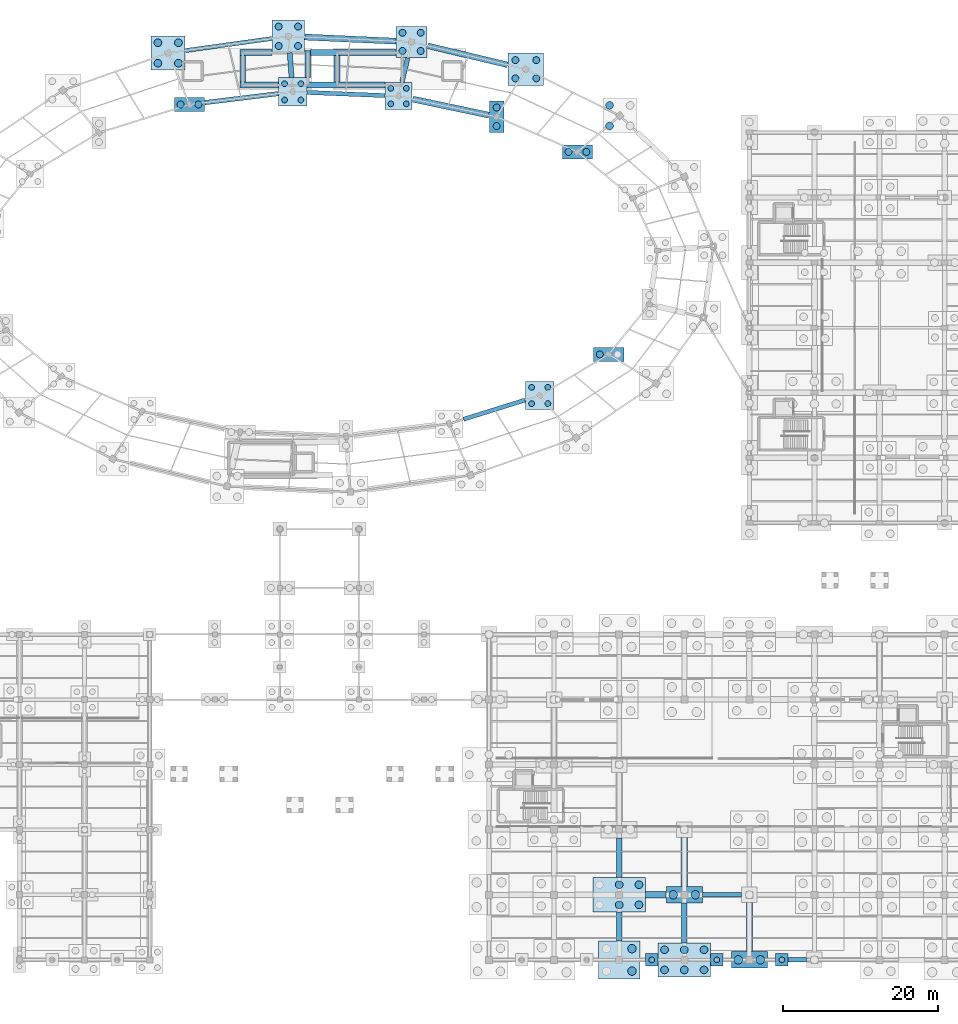
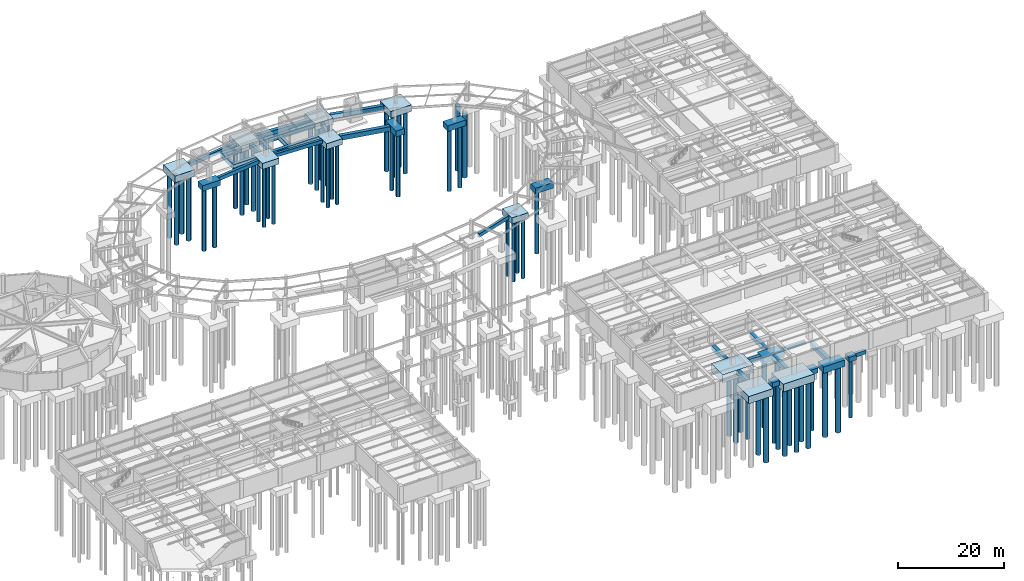
# One storey, part 6 of 38: 56 piles, 43 footings.
"""IFC4 building model written with IfcOpenShell, lengths in metres."""

from ifc_helpers import new_model, si_unit, direction, frame, origin, origin_2d, place, context, subcontext, project, spatial, polyline, rectangle, circle, outline, extrude, material, material_profile, profile_set, type_object, element, save


model = new_model("IFC4")

# Units and contexts
model_context = context("Model", 3, precision=1e-05, world=origin(), true_north=direction((0.0, 1.0)))
body_context = subcontext(model_context, "Body", "Model", "MODEL_VIEW")
ifc_project = project(units=[si_unit("LENGTHUNIT", "METRE"), si_unit("AREAUNIT", "SQUARE_METRE"), si_unit("VOLUMEUNIT", "CUBIC_METRE"), si_unit("PLANEANGLEUNIT", "RADIAN"), si_unit("MASSUNIT", "GRAM", prefix="KILO"), si_unit("THERMODYNAMICTEMPERATUREUNIT", "KELVIN"), si_unit("POWERUNIT", "WATT")], contexts=[model_context])

# Site, building, storey
site_placement = place(None, origin())
site = spatial("IfcSite", under=ifc_project, at=site_placement, CompositionType="ELEMENT")
building_placement = place(site_placement, origin())
building = spatial("IfcBuilding", under=site, at=building_placement, Name="Darbajah Civic Hall", CompositionType="ELEMENT")
storey_placement = place(building_placement, frame((0.0, 0.0, -4.199951171875)))
storey = spatial("IfcBuildingStorey", under=building, at=storey_placement, Name="B01", CompositionType="ELEMENT", Elevation=-4.199951171875)

# Piles
ifc_material = material(Name="Concrete C45/55", Category="concrete")
ifc_material_profile_1 = material_profile(ifc_material, circle(Radius=0.5, at=origin_2d()), Name="BORED PILE D1000")
ifc_profile_set_1 = profile_set([ifc_material_profile_1], Name="Concrete C45/55")
pile_type_1 = type_object("IfcPileType", Name="BORED PILE D1000", PredefinedType="BORED", material=ifc_profile_set_1)
for number, where, z_axis, x_axis, name in (
    (1, (126.5556640625, 107.6337890625, -1.449951171875), (0.0, 0.0, -1.0), (1.0, 0.0, 0.0), "B01 bored pile P-1000 V1O-02-1"),
    (2, (126.5556640625, 110.28369140625, -1.449951171875), (0.0, 0.0, -1.0), (1.0, 0.0, 0.0), "B01 bored pile P-1000 V1O-02-3"),
    (3, (68.258056640625, 115.7294921875, -1.449951171875), (0.0, 0.0, -1.0), (1.0, 0.0, 0.0), "B01 bored pile P-1000 V1O-06-1"),
    (4, (70.908203125, 115.7294921875, -1.449951171875), (0.0, 0.0, -1.0), (1.0, 0.0, 0.0), "B01 bored pile P-1000 V1O-06-2"),
    (5, (68.258056640625, 118.37939453125, -1.449951171875), (0.0, 0.0, -1.0), (1.0, 0.0, 0.0), "B01 bored pile P-1000 V1O-06-3"),
    (6, (70.908203125, 118.37939453125, -1.449951171875), (0.0, 0.0, -1.0), (1.0, 0.0, 0.0), "B01 bored pile P-1000 V1O-06-4"),
):
    element("IfcPile", number, at=place(storey_placement, frame(where, z_axis=z_axis, x_axis=x_axis)), inside=storey, type_object=pile_type_1, Name=name, PredefinedType="BORED", context=body_context, shape_type="SweptSolid", body=[
        extrude(circle(Radius=0.5, at=origin_2d()), origin(), (0.0, 0.0, 1.0), 15.0),
    ])
for number, where, z_axis, x_axis, name in (
    (7, (127.800048828125, 7.10009765625, -1.699951171875), (0.0, 0.0, -1.0), (1.0, 0.0, 0.0), "B01 bored pile P-1000 V3-02-01-2"),
    (8, (130.35009765625, 7.10009765625, -1.699951171875), (0.0, 0.0, -1.0), (1.0, 0.0, 0.0), "B01 bored pile P-1000 V3-02-01-3"),
    (9, (127.800048828125, 9.699951171875, -1.699951171875), (0.0, 0.0, -1.0), (1.0, 0.0, 0.0), "B01 bored pile P-1000 V3-02-01-5"),
    (10, (130.35009765625, 9.699951171875, -1.699951171875), (0.0, 0.0, -1.0), (1.0, 0.0, 0.0), "B01 bored pile P-1000 V3-02-01-6"),
    (11, (133.64990234375, -1.300048828125, -1.699951171875), (0.0, 0.0, -1.0), (1.0, 0.0, 0.0), "B01 bored pile P-1000 V3-03-00-1"),
    (12, (136.199951171875, -1.300048828125, -1.699951171875), (0.0, 0.0, -1.0), (1.0, 0.0, 0.0), "B01 bored pile P-1000 V3-03-00-2"),
    (13, (138.75, -1.300048828125, -1.699951171875), (0.0, 0.0, -1.0), (1.0, 0.0, 0.0), "B01 bored pile P-1000 V3-03-00-3"),
    (14, (133.64990234375, 1.300048828125, -1.699951171875), (0.0, 0.0, -1.0), (1.0, 0.0, 0.0), "B01 bored pile P-1000 V3-03-00-4"),
    (15, (136.199951171875, 1.300048828125, -1.699951171875), (0.0, 0.0, -1.0), (1.0, 0.0, 0.0), "B01 bored pile P-1000 V3-03-00-5"),
    (16, (138.75, 1.300048828125, -1.699951171875), (0.0, 0.0, -1.0), (1.0, 0.0, 0.0), "B01 bored pile P-1000 V3-03-00-6"),
):
    element("IfcPile", number, at=place(storey_placement, frame(where, z_axis=z_axis, x_axis=x_axis)), inside=storey, type_object=pile_type_1, Name=name, PredefinedType="BORED", context=body_context, shape_type="SweptSolid", body=[
        extrude(circle(Radius=0.5, at=origin_2d()), origin(), (0.0, 0.0, 1.0), 15.5),
    ])
ifc_material_profile_2 = material_profile(ifc_material, circle(Radius=0.550048828125, at=origin_2d()), Name="BORED PILE D1100")
ifc_profile_set_2 = profile_set([ifc_material_profile_2], Name="Concrete C45/55")
pile_type_2 = type_object("IfcPileType", Name="BORED PILE D1100", PredefinedType="BORED", material=ifc_profile_set_2)
for number, where, z_axis, x_axis, name in (
    (17, (129.449951171875, -1.449951171875, -1.60009765625), (0.0, 0.0, -1.0), (1.0, 0.0, 0.0), "B01 bored pile P-1100 V3-02-00-2"),
    (18, (129.449951171875, 1.449951171875, -1.60009765625), (0.0, 0.0, -1.0), (1.0, 0.0, 0.0), "B01 bored pile P-1100 V3-02-00-4"),
    (19, (134.77490234375, 8.39990234375, -1.400146484375), (0.0, 0.0, -1.0), (1.0, 0.0, 0.0), "B01 bored pile P-1100 V3-03-01-1"),
    (20, (137.625, 8.39990234375, -1.400146484375), (0.0, 0.0, -1.0), (1.0, 0.0, 0.0), "B01 bored pile P-1100 V3-03-01-2"),
    (21, (143.175048828125, 0.0, -1.400146484375), (0.0, 0.0, -1.0), (1.0, 0.0, 0.0), "B01 bored pile P-1100 V3-04-00-1"),
    (22, (146.02490234375, 0.0, -1.400146484375), (0.0, 0.0, -1.0), (1.0, 0.0, 0.0), "B01 bored pile P-1100 V3-04-00-2"),
):
    element("IfcPile", number, at=place(storey_placement, frame(where, z_axis=z_axis, x_axis=x_axis)), inside=storey, type_object=pile_type_2, Name=name, PredefinedType="BORED", context=body_context, shape_type="SweptSolid", body=[
        extrude(circle(Radius=0.550048828125, at=origin_2d()), origin(), (0.0, 0.0, 1.0), 15.5),
    ])
ifc_material_profile_3 = material_profile(ifc_material, circle(Radius=0.375, at=origin_2d()), Name="BORED PILE D750")
ifc_profile_set_3 = profile_set([ifc_material_profile_3], Name="Concrete C45/55")
pile_type_3 = type_object("IfcPileType", Name="BORED PILE D750", PredefinedType="BORED", material=ifc_profile_set_3)
for number, where, z_axis, x_axis, name in (
    (23, (98.324951171875, 110.48388671875, -1.25), (0.0, 0.0, -1.0), (1.0, 0.0, 0.0), "B01 bored pile P-750 V1I-04-1"),
    (24, (100.324951171875, 110.48388671875, -1.25), (0.0, 0.0, -1.0), (1.0, 0.0, 0.0), "B01 bored pile P-750 V1I-04-2"),
    (25, (98.324951171875, 112.48388671875, -1.25), (0.0, 0.0, -1.0), (1.0, 0.0, 0.0), "B01 bored pile P-750 V1I-04-3"),
    (26, (100.324951171875, 112.48388671875, -1.25), (0.0, 0.0, -1.0), (1.0, 0.0, 0.0), "B01 bored pile P-750 V1I-04-4"),
    (27, (84.613525390625, 110.981201171875, -1.300048828125), (0.0, 0.0, -1.0), (1.0, 0.0, 0.0), "B01 bored pile P-750 V1I-05-1"),
    (28, (86.71337890625, 110.981201171875, -1.300048828125), (0.0, 0.0, -1.0), (1.0, 0.0, 0.0), "B01 bored pile P-750 V1I-05-2"),
    (29, (84.613525390625, 113.081298828125, -1.300048828125), (0.0, 0.0, -1.0), (1.0, 0.0, 0.0), "B01 bored pile P-750 V1I-05-3"),
    (30, (86.71337890625, 113.081298828125, -1.300048828125), (0.0, 0.0, -1.0), (1.0, 0.0, 0.0), "B01 bored pile P-750 V1I-05-4"),
    (31, (116.495849609375, 71.79296875, -1.300048828125), (0.0, 0.0, -1.0), (1.0, 0.0, 0.0), "B01 bored pile P-750 V1I-17-1"),
    (32, (118.595703125, 71.79296875, -1.300048828125), (0.0, 0.0, -1.0), (1.0, 0.0, 0.0), "B01 bored pile P-750 V1I-17-2"),
    (33, (116.495849609375, 73.892822265625, -1.300048828125), (0.0, 0.0, -1.0), (1.0, 0.0, 0.0), "B01 bored pile P-750 V1I-17-3"),
    (34, (118.595703125, 73.892822265625, -1.300048828125), (0.0, 0.0, -1.0), (1.0, 0.0, 0.0), "B01 bored pile P-750 V1I-17-4"),
):
    element("IfcPile", number, at=place(storey_placement, frame(where, z_axis=z_axis, x_axis=x_axis)), inside=storey, type_object=pile_type_3, Name=name, PredefinedType="BORED", context=body_context, shape_type="SweptSolid", body=[
        extrude(circle(Radius=0.375, at=origin_2d()), origin(), (0.0, 0.0, 1.0), 14.0),
    ])
for number, where, z_axis, x_axis, name in (
    (35, (132.0, 0.0, -1.0), (0.0, 0.0, -1.0), (1.0, 0.0, 0.0), "B01 bored pile PIL-V3S-3"),
    (36, (140.39990234375, 0.0, -1.0), (0.0, 0.0, -1.0), (1.0, 0.0, 0.0), "B01 bored pile PIL-V3S-4"),
    (37, (148.800048828125, 0.0, -1.0), (0.0, 0.0, -1.0), (1.0, 0.0, 0.0), "B01 bored pile PIL-V3S-5"),
):
    element("IfcPile", number, at=place(storey_placement, frame(where, z_axis=z_axis, x_axis=x_axis)), inside=storey, type_object=pile_type_3, Name=name, PredefinedType="BORED", context=body_context, shape_type="SweptSolid", body=[
        extrude(circle(Radius=0.375, at=origin_2d()), origin(), (0.0, 0.0, 1.0), 13.5),
    ])
ifc_material_profile_4 = material_profile(ifc_material, circle(Radius=0.449951171875, at=origin_2d()), Name="BORED PILE D900")
ifc_profile_set_4 = profile_set([ifc_material_profile_4], Name="Concrete C45/55")
pile_type_4 = type_object("IfcPileType", Name="BORED PILE D900", PredefinedType="BORED", material=ifc_profile_set_4)
for number, where, z_axis, x_axis, name in (
    (38, (121.255859375, 104.28271484375, -1.199951171875), (0.0, 0.0, -1.0), (1.0, 0.0, 0.0), "B01 bored pile P-900 V1I-02-1"),
    (39, (123.555908203125, 104.28271484375, -1.199951171875), (0.0, 0.0, -1.0), (1.0, 0.0, 0.0), "B01 bored pile P-900 V1I-02-2"),
    (40, (114.3974609375, 113.77783203125, -1.420166015625), (0.0, 0.0, -1.0), (1.0, 0.0, 0.0), "B01 bored pile P-900 V1O-03-1"),
    (41, (117.097412109375, 113.77783203125, -1.420166015625), (0.0, 0.0, -1.0), (1.0, 0.0, 0.0), "B01 bored pile P-900 V1O-03-2"),
    (42, (114.3974609375, 116.1279296875, -1.420166015625), (0.0, 0.0, -1.0), (1.0, 0.0, 0.0), "B01 bored pile P-900 V1O-03-3"),
    (43, (117.097412109375, 116.1279296875, -1.420166015625), (0.0, 0.0, -1.0), (1.0, 0.0, 0.0), "B01 bored pile P-900 V1O-03-4"),
    (44, (111.9853515625, 107.614013671875, -1.25), (0.0, 0.0, -1.0), (1.0, 0.0, 0.0), "B01 bored pile P-900 V1I-03-1"),
    (45, (111.9853515625, 110.013916015625, -1.25), (0.0, 0.0, -1.0), (1.0, 0.0, 0.0), "B01 bored pile P-900 V1I-03-2"),
    (46, (99.830810546875, 117.309814453125, -1.35009765625), (0.0, 0.0, -1.0), (1.0, 0.0, 0.0), "B01 bored pile P-900 V1O-04-1"),
    (47, (102.1806640625, 117.309814453125, -1.35009765625), (0.0, 0.0, -1.0), (1.0, 0.0, 0.0), "B01 bored pile P-900 V1O-04-2"),
    (48, (99.830810546875, 119.659912109375, -1.35009765625), (0.0, 0.0, -1.0), (1.0, 0.0, 0.0), "B01 bored pile P-900 V1O-04-3"),
    (49, (102.1806640625, 119.659912109375, -1.35009765625), (0.0, 0.0, -1.0), (1.0, 0.0, 0.0), "B01 bored pile P-900 V1O-04-4"),
):
    element("IfcPile", number, at=place(storey_placement, frame(where, z_axis=z_axis, x_axis=x_axis)), inside=storey, type_object=pile_type_4, Name=name, PredefinedType="BORED", context=body_context, shape_type="SweptSolid", body=[
        extrude(circle(Radius=0.449951171875, at=origin_2d()), origin(), (0.0, 0.0, 1.0), 14.5),
    ])
for number, where, z_axis, x_axis, name in (
    (50, (83.8486328125, 117.958984375, -1.400146484375), (0.0, 0.0, -1.0), (1.0, 0.0, 0.0), "B01 bored pile P-900 V1O-05-1"),
    (51, (86.3486328125, 117.958984375, -1.400146484375), (0.0, 0.0, -1.0), (1.0, 0.0, 0.0), "B01 bored pile P-900 V1O-05-2"),
    (52, (83.8486328125, 120.458984375, -1.400146484375), (0.0, 0.0, -1.0), (1.0, 0.0, 0.0), "B01 bored pile P-900 V1O-05-3"),
    (53, (86.3486328125, 120.458984375, -1.400146484375), (0.0, 0.0, -1.0), (1.0, 0.0, 0.0), "B01 bored pile P-900 V1O-05-4"),
):
    element("IfcPile", number, at=place(storey_placement, frame(where, z_axis=z_axis, x_axis=x_axis)), inside=storey, type_object=pile_type_4, Name=name, PredefinedType="BORED", context=body_context, shape_type="SweptSolid", body=[
        extrude(circle(Radius=0.449951171875, at=origin_2d()), origin(), (0.0, 0.0, 1.0), 15.0),
    ])
for number, where, z_axis, x_axis, name in (
    (54, (71.1884765625, 110.402587890625, -1.199951171875), (0.0, 0.0, -1.0), (1.0, 0.0, 0.0), "B01 bored pile P-900 V1I-06-1"),
    (55, (73.488525390625, 110.402587890625, -1.199951171875), (0.0, 0.0, -1.0), (1.0, 0.0, 0.0), "B01 bored pile P-900 V1I-06-2"),
    (56, (125.295654296875, 78.148193359375, -1.199951171875), (0.0, 0.0, -1.0), (1.0, 0.0, 0.0), "B01 bored pile P-900 V1I-18-1"),
):
    element("IfcPile", number, at=place(storey_placement, frame(where, z_axis=z_axis, x_axis=x_axis)), inside=storey, type_object=pile_type_4, Name=name, PredefinedType="BORED", context=body_context, shape_type="SweptSolid", body=[
        extrude(circle(Radius=0.449951171875, at=origin_2d()), origin(), (0.0, 0.0, 1.0), 14.5),
    ])

# Footings
footing_type_1 = type_object("IfcFootingType", Name="Ground Strip Footing 550x800", PredefinedType="STRIP_FOOTING", material=ifc_material)
footing_1_placement = place(storey_placement, frame((0.0, 0.0, -0.800048828125)))
element("IfcFooting", 57, at=footing_1_placement, inside=storey, type_object=footing_type_1, Name="B01 ground strip footing SF-06", PredefinedType="STRIP_FOOTING", context=body_context, shape_type="SweptSolid", body=[
    extrude(outline(polyline([(97.56982421875, 111.829345703125), (87.515380859375, 112.232421875), (87.493408203125, 111.6826171875), (97.5478515625, 111.27978515625), (97.56982421875, 111.829345703125)])), origin(), (0.0, 0.0, 1.0), 0.800048828125),
])
footing_2_placement = place(storey_placement, frame((0.0, 0.0, -0.800048828125)))
element("IfcFooting", 58, at=footing_2_placement, inside=storey, type_object=footing_type_1, Name="B01 ground strip footing SF-06", PredefinedType="STRIP_FOOTING", context=body_context, shape_type="SweptSolid", body=[
    extrude(outline(polyline([(82.91796875, 119.183837890625), (71.7880859375, 117.63818359375), (71.86376953125, 117.093505859375), (82.99365234375, 118.63916015625), (82.91796875, 119.183837890625)])), origin(), (0.0, 0.0, 1.0), 0.800048828125),
])
footing_3_placement = place(storey_placement, frame((0.0, 0.0, -0.800048828125)))
element("IfcFooting", 59, at=footing_3_placement, inside=storey, type_object=footing_type_1, Name="B01 ground strip footing SF-06", PredefinedType="STRIP_FOOTING", context=body_context, shape_type="SweptSolid", body=[
    extrude(outline(polyline([(107.7802734375, 69.508056640625), (115.7158203125, 71.98388671875), (115.552001953125, 72.5087890625), (107.616455078125, 70.033203125), (107.7802734375, 69.508056640625)])), origin(), (0.0, 0.0, 1.0), 0.800048828125),
])
footing_4_placement = place(storey_placement, frame((0.0, 0.0, -0.800048828125)))
element("IfcFooting", 60, at=footing_4_placement, inside=storey, type_object=footing_type_1, Name="B01 ground strip footing SF-06", PredefinedType="STRIP_FOOTING", context=body_context, shape_type="SweptSolid", body=[
    extrude(outline(polyline([(138.530029296875, 8.125), (143.594970703125, 8.125), (143.594970703125, 8.675048828125), (138.530029296875, 8.675048828125), (138.530029296875, 8.125)])), origin(), (0.0, 0.0, 1.0), 0.800048828125),
])
footing_type_2 = type_object("IfcFootingType", Name="Ground Strip Footing 600x850", PredefinedType="STRIP_FOOTING", material=ifc_material)
footing_5_placement = place(storey_placement, frame((0.0, 0.0, -0.85009765625)))
element("IfcFooting", 61, at=footing_5_placement, inside=storey, type_object=footing_type_2, Name="B01 ground strip footing SF-01", PredefinedType="STRIP_FOOTING", context=body_context, shape_type="SweptSolid", body=[
    extrude(outline(polyline([(100.0546875, 113.23876953125), (100.79931640625, 116.33984375), (100.2158203125, 116.47998046875), (99.47119140625, 113.37890625), (100.0546875, 113.23876953125)])), origin(), (0.0, 0.0, 1.0), 0.85009765625),
])
footing_6_placement = place(storey_placement, frame((0.0, 0.0, -0.85009765625)))
element("IfcFooting", 62, at=footing_6_placement, inside=storey, type_object=footing_type_2, Name="B01 ground strip footing SF-01", PredefinedType="STRIP_FOOTING", context=body_context, shape_type="SweptSolid", body=[
    extrude(outline(polyline([(83.7607421875, 112.100830078125), (74.29345703125, 110.943603515625), (74.3662109375, 110.34814453125), (83.83349609375, 111.50537109375), (83.7607421875, 112.100830078125)])), origin(), (0.0, 0.0, 1.0), 0.85009765625),
])
footing_7_placement = place(storey_placement, frame((0.0, 0.0, -0.85009765625)))
element("IfcFooting", 63, at=footing_7_placement, inside=storey, type_object=footing_type_2, Name="B01 ground strip footing SF-01", PredefinedType="STRIP_FOOTING", context=body_context, shape_type="SweptSolid", body=[
    extrude(outline(polyline([(149.60498046875, -0.300048828125), (151.9951171875, -0.300048828125), (151.9951171875, 0.300048828125), (149.60498046875, 0.300048828125), (149.60498046875, -0.300048828125)])), origin(), (0.0, 0.0, 1.0), 0.85009765625),
])
footing_type_3 = type_object("IfcFootingType", Name="Ground Strip Footing 650x900", PredefinedType="STRIP_FOOTING", material=ifc_material)
footing_8_placement = place(storey_placement, frame((0.0, 0.0, -0.900146484375)))
element("IfcFooting", 64, at=footing_8_placement, inside=storey, type_object=footing_type_3, Name="B01 ground strip footing SF-02", PredefinedType="STRIP_FOOTING", context=body_context, shape_type="SweptSolid", body=[
    extrude(outline(polyline([(85.841552734375, 113.912353515625), (85.59033203125, 117.10400390625), (84.9423828125, 117.052978515625), (85.193603515625, 113.861328125), (85.841552734375, 113.912353515625)])), origin(), (0.0, 0.0, 1.0), 0.900146484375),
])
footing_type_4 = type_object("IfcFootingType", Name="Ground Strip Footing 700x950", PredefinedType="STRIP_FOOTING", material=ifc_material)
footing_9_placement = place(storey_placement, frame((0.0, 0.0, -0.949951171875)))
element("IfcFooting", 65, at=footing_9_placement, inside=storey, type_object=footing_type_4, Name="B01 ground strip footing SF-03", PredefinedType="STRIP_FOOTING", context=body_context, shape_type="SweptSolid", body=[
    extrude(outline(polyline([(128.14990234375, 2.455078125), (128.14990234375, 6.195068359375), (127.449951171875, 6.195068359375), (127.449951171875, 2.455078125), (128.14990234375, 2.455078125)])), origin(), (0.0, 0.0, 1.0), 0.949951171875),
])
footing_type_5 = type_object("IfcFootingType", Name="Ground Strip Footing 750x1000", PredefinedType="STRIP_FOOTING", material=ifc_material)
footing_10_placement = place(storey_placement, frame((0.0, 0.0, -1.0)))
element("IfcFooting", 66, at=footing_10_placement, inside=storey, type_object=footing_type_5, Name="B01 ground strip footing SF-04", PredefinedType="STRIP_FOOTING", context=body_context, shape_type="SweptSolid", body=[
    extrude(outline(polyline([(113.46728515625, 115.884765625), (103.185302734375, 118.348388671875), (103.0107421875, 117.618896484375), (113.292724609375, 115.155517578125), (113.46728515625, 115.884765625)])), origin(), (0.0, 0.0, 1.0), 1.0),
])
footing_11_placement = place(storey_placement, frame((0.0, 0.0, -1.0)))
element("IfcFooting", 67, at=footing_11_placement, inside=storey, type_object=footing_type_5, Name="B01 ground strip footing SF-04", PredefinedType="STRIP_FOOTING", context=body_context, shape_type="SweptSolid", body=[
    extrude(outline(polyline([(128.175048828125, 10.60498046875), (128.175048828125, 15.719970703125), (127.425048828125, 15.719970703125), (127.425048828125, 10.60498046875), (128.175048828125, 10.60498046875)])), origin(), (0.0, 0.0, 1.0), 1.0),
])
footing_12_placement = place(storey_placement, frame((0.0, 0.0, -1.0)))
element("IfcFooting", 68, at=footing_12_placement, inside=storey, type_object=footing_type_5, Name="B01 ground strip footing SF-04", PredefinedType="STRIP_FOOTING", context=body_context, shape_type="SweptSolid", body=[
    extrude(outline(polyline([(136.574951171875, 2.205078125), (136.574951171875, 7.320068359375), (135.824951171875, 7.320068359375), (135.824951171875, 2.205078125), (136.574951171875, 2.205078125)])), origin(), (0.0, 0.0, 1.0), 1.0),
])
footing_13_placement = place(storey_placement, frame((0.0, 0.0, -1.0)))
element("IfcFooting", 69, at=footing_13_placement, inside=storey, type_object=footing_type_5, Name="B01 core C01 strip footing S", PredefinedType="STRIP_FOOTING", context=body_context, shape_type="SweptSolid", body=[
    extrude(outline(polyline([(78.824951171875, 112.52490234375), (83.83056640625, 112.52490234375), (83.83056640625, 113.27490234375), (78.824951171875, 113.27490234375), (78.824951171875, 112.52490234375)])), origin(), (0.0, 0.0, 1.0), 1.0),
])
footing_14_placement = place(storey_placement, frame((0.0, 0.0, -1.0)))
element("IfcFooting", 70, at=footing_14_placement, inside=storey, type_object=footing_type_5, Name="B01 core C01 strip footing N", PredefinedType="STRIP_FOOTING", context=body_context, shape_type="SweptSolid", body=[
    extrude(outline(polyline([(78.824951171875, 116.72509765625), (82.97900390625, 116.72509765625), (82.97900390625, 117.47509765625), (78.824951171875, 117.47509765625), (78.824951171875, 116.72509765625)])), origin(), (0.0, 0.0, 1.0), 1.0),
])
footing_15_placement = place(storey_placement, frame((0.0, 0.0, -1.0)))
element("IfcFooting", 71, at=footing_15_placement, inside=storey, type_object=footing_type_5, Name="B01 core C01 strip footing W", PredefinedType="STRIP_FOOTING", context=body_context, shape_type="SweptSolid", body=[
    extrude(outline(polyline([(78.824951171875, 113.284912109375), (79.574951171875, 113.284912109375), (79.574951171875, 116.715087890625), (78.824951171875, 116.715087890625), (78.824951171875, 113.284912109375)])), origin(), (0.0, 0.0, 1.0), 1.0),
])
footing_16_placement = place(storey_placement, frame((0.0, 0.0, -1.0)))
element("IfcFooting", 72, at=footing_16_placement, inside=storey, type_object=footing_type_5, Name="B01 core C01 strip footing E", PredefinedType="STRIP_FOOTING", context=body_context, shape_type="SweptSolid", body=[
    extrude(outline(polyline([(87.22509765625, 113.864013671875), (87.97509765625, 113.864013671875), (87.97509765625, 117.39599609375), (87.22509765625, 117.39599609375), (87.22509765625, 113.864013671875)])), origin(), (0.0, 0.0, 1.0), 1.0),
])
footing_17_placement = place(storey_placement, frame((0.0, 0.0, -1.0)))
element("IfcFooting", 73, at=footing_17_placement, inside=storey, type_object=footing_type_5, Name="B01 core C02 strip footing S", PredefinedType="STRIP_FOOTING", context=body_context, shape_type="SweptSolid", body=[
    extrude(outline(polyline([(87.49658203125, 112.52490234375), (97.56298828125, 112.52490234375), (97.56298828125, 113.27490234375), (87.49658203125, 113.27490234375), (87.49658203125, 112.52490234375)])), origin(), (0.0, 0.0, 1.0), 1.0),
])
footing_18_placement = place(storey_placement, frame((0.0, 0.0, -1.0)))
element("IfcFooting", 74, at=footing_18_placement, inside=storey, type_object=footing_type_5, Name="B01 core C02 strip footing N", PredefinedType="STRIP_FOOTING", context=body_context, shape_type="SweptSolid", body=[
    extrude(outline(polyline([(87.9833984375, 116.72509765625), (98.997802734375, 116.72509765625), (98.997802734375, 117.47509765625), (87.9833984375, 117.47509765625), (87.9833984375, 116.72509765625)])), origin(), (0.0, 0.0, 1.0), 1.0),
])
footing_19_placement = place(storey_placement, frame((0.0, 0.0, -1.0)))
element("IfcFooting", 75, at=footing_19_placement, inside=storey, type_object=footing_type_5, Name="B01 core C02 strip footing W", PredefinedType="STRIP_FOOTING", context=body_context, shape_type="SweptSolid", body=[
    extrude(outline(polyline([(91.02490234375, 113.284912109375), (91.77490234375, 113.284912109375), (91.77490234375, 116.715087890625), (91.02490234375, 116.715087890625), (91.02490234375, 113.284912109375)])), origin(), (0.0, 0.0, 1.0), 1.0),
])
footing_type_6 = type_object("IfcFootingType", Name="Ground Strip Footing 800x1050", PredefinedType="STRIP_FOOTING", material=ifc_material)
footing_20_placement = place(storey_placement, frame((0.0, 0.0, -1.050048828125)))
element("IfcFooting", 76, at=footing_20_placement, inside=storey, type_object=footing_type_6, Name="B01 ground strip footing SF-05", PredefinedType="STRIP_FOOTING", context=body_context, shape_type="SweptSolid", body=[
    extrude(outline(polyline([(111.055419921875, 109.418701171875), (101.2451171875, 111.48779296875), (101.079833984375, 110.704833984375), (110.890380859375, 108.635986328125), (111.055419921875, 109.418701171875)])), origin(), (0.0, 0.0, 1.0), 1.050048828125),
])
footing_21_placement = place(storey_placement, frame((0.0, 0.0, -1.050048828125)))
element("IfcFooting", 77, at=footing_21_placement, inside=storey, type_object=footing_type_6, Name="B01 ground strip footing SF-05", PredefinedType="STRIP_FOOTING", context=body_context, shape_type="SweptSolid", body=[
    extrude(outline(polyline([(99.000732421875, 118.9765625), (87.239990234375, 119.511962890625), (87.20361328125, 118.712890625), (98.96435546875, 118.177490234375), (99.000732421875, 118.9765625)])), origin(), (0.0, 0.0, 1.0), 1.050048828125),
])
footing_22_placement = place(storey_placement, frame((0.0, 0.0, -1.050048828125)))
element("IfcFooting", 78, at=footing_22_placement, inside=storey, type_object=footing_type_6, Name="B01 ground strip footing SF-05", PredefinedType="STRIP_FOOTING", context=body_context, shape_type="SweptSolid", body=[
    extrude(outline(polyline([(136.60009765625, 9.47998046875), (136.60009765625, 15.794921875), (135.800048828125, 15.794921875), (135.800048828125, 9.47998046875), (136.60009765625, 9.47998046875)])), origin(), (0.0, 0.0, 1.0), 1.050048828125),
])
footing_23_placement = place(storey_placement, frame((0.0, 0.0, -1.050048828125)))
element("IfcFooting", 79, at=footing_23_placement, inside=storey, type_object=footing_type_6, Name="B01 ground strip footing SF-05", PredefinedType="STRIP_FOOTING", context=body_context, shape_type="SweptSolid", body=[
    extrude(outline(polyline([(145.0, 1.080078125), (145.0, 7.39501953125), (144.199951171875, 7.39501953125), (144.199951171875, 1.080078125), (145.0, 1.080078125)])), origin(), (0.0, 0.0, 1.0), 1.050048828125),
])
footing_24_placement = place(storey_placement, frame((0.0, 0.0, -1.050048828125)))
element("IfcFooting", 80, at=footing_24_placement, inside=storey, type_object=footing_type_6, Name="B01 ground strip footing SF-05", PredefinedType="STRIP_FOOTING", context=body_context, shape_type="SweptSolid", body=[
    extrude(outline(polyline([(131.205078125, 8.0), (133.8701171875, 8.0), (133.8701171875, 8.800048828125), (131.205078125, 8.800048828125), (131.205078125, 8.0)])), origin(), (0.0, 0.0, 1.0), 1.050048828125),
])
footing_type_7 = type_object("IfcFootingType", Name="Pile Cap 1600x1600x1100", PredefinedType="PILE_CAP", material=ifc_material)
for number, where, z_axis, x_axis, name in (
    (81, (132.0, 0.0, -1.10009765625), (0.0, 0.0, 1.0), (1.0, 0.0, 0.0), "B01 pilaster cap PIL-V3S-3"),
    (82, (140.39990234375, 0.0, -1.10009765625), (0.0, 0.0, 1.0), (1.0, 0.0, 0.0), "B01 pilaster cap PIL-V3S-4"),
    (83, (148.800048828125, 0.0, -1.10009765625), (0.0, 0.0, 1.0), (1.0, 0.0, 0.0), "B01 pilaster cap PIL-V3S-5"),
):
    element("IfcFooting", number, at=place(storey_placement, frame(where, z_axis=z_axis, x_axis=x_axis)), inside=storey, type_object=footing_type_7, Name=name, PredefinedType="PILE_CAP", context=body_context, shape_type="SweptSolid", body=[
        extrude(rectangle(XDim=1.60009765625, YDim=1.60009765625, at=origin_2d()), origin(), (0.0, 0.0, 1.0), 1.10009765625),
    ])
footing_type_8 = type_object("IfcFootingType", Name="Pile Cap 1850x4050x1350", PredefinedType="PILE_CAP", material=ifc_material)
footing_25_placement = place(storey_placement, frame((111.9853515625, 108.81396484375, -1.35009765625), z_axis=(0.0, 0.0, 1.0), x_axis=(1.0, 0.0, 0.0)))
element("IfcFooting", 84, at=footing_25_placement, inside=storey, type_object=footing_type_8, Name="B01 pile cap PC-2D at V1I-03", PredefinedType="PILE_CAP", context=body_context, shape_type="SweptSolid", body=[
    extrude(rectangle(XDim=1.85009765625, YDim=4.050048828125, at=origin_2d()), origin(), (0.0, 0.0, 1.0), 1.35009765625),
])
footing_type_9 = type_object("IfcFootingType", Name="Pile Cap 3500x3500x1350", PredefinedType="PILE_CAP", material=ifc_material)
footing_26_placement = place(storey_placement, frame((99.324951171875, 111.48388671875, -1.35009765625), z_axis=(0.0, 0.0, 1.0), x_axis=(1.0, 0.0, 0.0)))
element("IfcFooting", 85, at=footing_26_placement, inside=storey, type_object=footing_type_9, Name="B01 pile cap PC-4A at V1I-04", PredefinedType="PILE_CAP", context=body_context, shape_type="SweptSolid", body=[
    extrude(rectangle(XDim=3.5, YDim=3.5, at=origin_2d()), origin(), (0.0, 0.0, 1.0), 1.35009765625),
])
footing_type_10 = type_object("IfcFootingType", Name="Pile Cap 3650x3650x1400", PredefinedType="PILE_CAP", material=ifc_material)
for number, where, z_axis, x_axis, name in (
    (86, (85.66357421875, 112.03125, -1.39990234375), (0.0, 0.0, 1.0), (1.0, 0.0, 0.0), "B01 pile cap PC-4B at V1I-05"),
    (87, (117.5458984375, 72.843017578125, -1.39990234375), (0.0, 0.0, 1.0), (1.0, 0.0, 0.0), "B01 pile cap PC-4B at V1I-17"),
):
    element("IfcFooting", number, at=place(storey_placement, frame(where, z_axis=z_axis, x_axis=x_axis)), inside=storey, type_object=footing_type_10, Name=name, PredefinedType="PILE_CAP", context=body_context, shape_type="SweptSolid", body=[
        extrude(rectangle(XDim=3.64990234375, YDim=3.64990234375, at=origin_2d()), origin(), (0.0, 0.0, 1.0), 1.39990234375),
    ])
footing_type_11 = type_object("IfcFootingType", Name="Pile Cap 3900x1800x1300", PredefinedType="PILE_CAP", material=ifc_material)
for number, where, z_axis, x_axis, name in (
    (88, (122.40576171875, 104.28271484375, -1.30029296875), (0.0, 0.0, 1.0), (1.0, 0.0, 0.0), "B01 pile cap PC-2C at V1I-02"),
    (89, (72.33837890625, 110.402587890625, -1.30029296875), (0.0, 0.0, 1.0), (1.0, 0.0, 0.0), "B01 pile cap PC-2C at V1I-06"),
    (90, (126.445556640625, 78.148193359375, -1.30029296875), (0.0, 0.0, 1.0), (1.0, 0.0, 0.0), "B01 pile cap PC-2C at V1I-18"),
):
    element("IfcFooting", number, at=place(storey_placement, frame(where, z_axis=z_axis, x_axis=x_axis)), inside=storey, type_object=footing_type_11, Name=name, PredefinedType="PILE_CAP", context=body_context, shape_type="SweptSolid", body=[
        extrude(rectangle(XDim=3.89990234375, YDim=1.800048828125, at=origin_2d()), origin(), (0.0, 0.0, 1.0), 1.300048828125),
    ])
footing_type_12 = type_object("IfcFootingType", Name="Pile Cap 4000x4000x1450", PredefinedType="PILE_CAP", material=ifc_material)
footing_27_placement = place(storey_placement, frame((101.005615234375, 118.48486328125, -1.4501953125), z_axis=(0.0, 0.0, 1.0), x_axis=(1.0, 0.0, 0.0)))
element("IfcFooting", 91, at=footing_27_placement, inside=storey, type_object=footing_type_12, Name="B01 pile cap PC-4C at V1O-04", PredefinedType="PILE_CAP", context=body_context, shape_type="SweptSolid", body=[
    extrude(rectangle(XDim=4.0, YDim=4.0, at=origin_2d()), origin(), (0.0, 0.0, 1.0), 1.449951171875),
])
footing_type_13 = type_object("IfcFootingType", Name="Pile Cap 4200x4200x1500", PredefinedType="PILE_CAP", material=ifc_material)
footing_28_placement = place(storey_placement, frame((85.0986328125, 119.208984375, -1.5), z_axis=(0.0, 0.0, 1.0), x_axis=(1.0, 0.0, 0.0)))
element("IfcFooting", 92, at=footing_28_placement, inside=storey, type_object=footing_type_13, Name="B01 pile cap PC-4D at V1O-05", PredefinedType="PILE_CAP", context=body_context, shape_type="SweptSolid", body=[
    extrude(rectangle(XDim=4.199951171875, YDim=4.199951171875, at=origin_2d()), origin(), (0.0, 0.0, 1.0), 1.5),
])
footing_type_14 = type_object("IfcFootingType", Name="Pile Cap 4400x4400x1550", PredefinedType="PILE_CAP", material=ifc_material)
footing_29_placement = place(storey_placement, frame((69.5830078125, 117.054443359375, -1.55029296875), z_axis=(0.0, 0.0, 1.0), x_axis=(1.0, 0.0, 0.0)))
element("IfcFooting", 93, at=footing_29_placement, inside=storey, type_object=footing_type_14, Name="B01 pile cap PC-4E at V1O-06", PredefinedType="PILE_CAP", context=body_context, shape_type="SweptSolid", body=[
    extrude(rectangle(XDim=4.39990234375, YDim=4.39990234375, at=origin_2d()), origin(), (0.0, 0.0, 1.0), 1.550048828125),
])
footing_type_15 = type_object("IfcFootingType", Name="Pile Cap 4550x4150x1520", PredefinedType="PILE_CAP", material=ifc_material)
footing_30_placement = place(storey_placement, frame((115.747314453125, 114.952880859375, -1.52001953125), z_axis=(0.0, 0.0, 1.0), x_axis=(1.0, 0.0, 0.0)))
element("IfcFooting", 94, at=footing_30_placement, inside=storey, type_object=footing_type_15, Name="B01 pile cap PC-4K at V1O-03", PredefinedType="PILE_CAP", context=body_context, shape_type="SweptSolid", body=[
    extrude(rectangle(XDim=4.550048828125, YDim=4.14990234375, at=origin_2d()), origin(), (0.0, 0.0, 1.0), 1.52001953125),
])
footing_type_16 = type_object("IfcFootingType", Name="Pile Cap 4650x2150x1500", PredefinedType="PILE_CAP", material=ifc_material)
for number, where, z_axis, x_axis, name in (
    (95, (136.199951171875, 8.39990234375, -1.5), (0.0, 0.0, 1.0), (1.0, 0.0, 0.0), "B01 pile cap PC-2G at V3-03-01"),
    (96, (144.60009765625, 0.0, -1.5), (0.0, 0.0, 1.0), (1.0, 0.0, 0.0), "B01 pile cap PC-2G at V3-04-00"),
):
    element("IfcFooting", number, at=place(storey_placement, frame(where, z_axis=z_axis, x_axis=x_axis)), inside=storey, type_object=footing_type_16, Name=name, PredefinedType="PILE_CAP", context=body_context, shape_type="SweptSolid", body=[
        extrude(rectangle(XDim=4.64990234375, YDim=2.14990234375, at=origin_2d()), origin(), (0.0, 0.0, 1.0), 1.5),
    ])
footing_type_17 = type_object("IfcFootingType", Name="Pile Cap 5400x4900x1700", PredefinedType="PILE_CAP", material=ifc_material)
footing_31_placement = place(storey_placement, frame((127.800048828125, 0.0, -1.7001953125), z_axis=(0.0, 0.0, 1.0), x_axis=(1.0, 0.0, 0.0)))
element("IfcFooting", 97, at=footing_31_placement, inside=storey, type_object=footing_type_17, Name="B01 pile cap PC-4J at V3-02-00", PredefinedType="PILE_CAP", context=body_context, shape_type="SweptSolid", body=[
    extrude(rectangle(XDim=5.39990234375, YDim=4.89990234375, at=origin_2d()), origin(), (0.0, 0.0, 1.0), 1.699951171875),
])
footing_type_18 = type_object("IfcFootingType", Name="Pile Cap 6800x4400x1800", PredefinedType="PILE_CAP", material=ifc_material)
for number, where, z_axis, x_axis, name in (
    (98, (127.800048828125, 8.39990234375, -1.80029296875), (0.0, 0.0, 1.0), (1.0, 0.0, 0.0), "B01 pile cap PC-6A at V3-02-01"),
    (99, (136.199951171875, 0.0, -1.80029296875), (0.0, 0.0, 1.0), (1.0, 0.0, 0.0), "B01 pile cap PC-6A at V3-03-00"),
):
    element("IfcFooting", number, at=place(storey_placement, frame(where, z_axis=z_axis, x_axis=x_axis)), inside=storey, type_object=footing_type_18, Name=name, PredefinedType="PILE_CAP", context=body_context, shape_type="SweptSolid", body=[
        extrude(rectangle(XDim=6.800048828125, YDim=4.39990234375, at=origin_2d()), origin(), (0.0, 0.0, 1.0), 1.800048828125),
    ])

save(model, "model.ifc")
